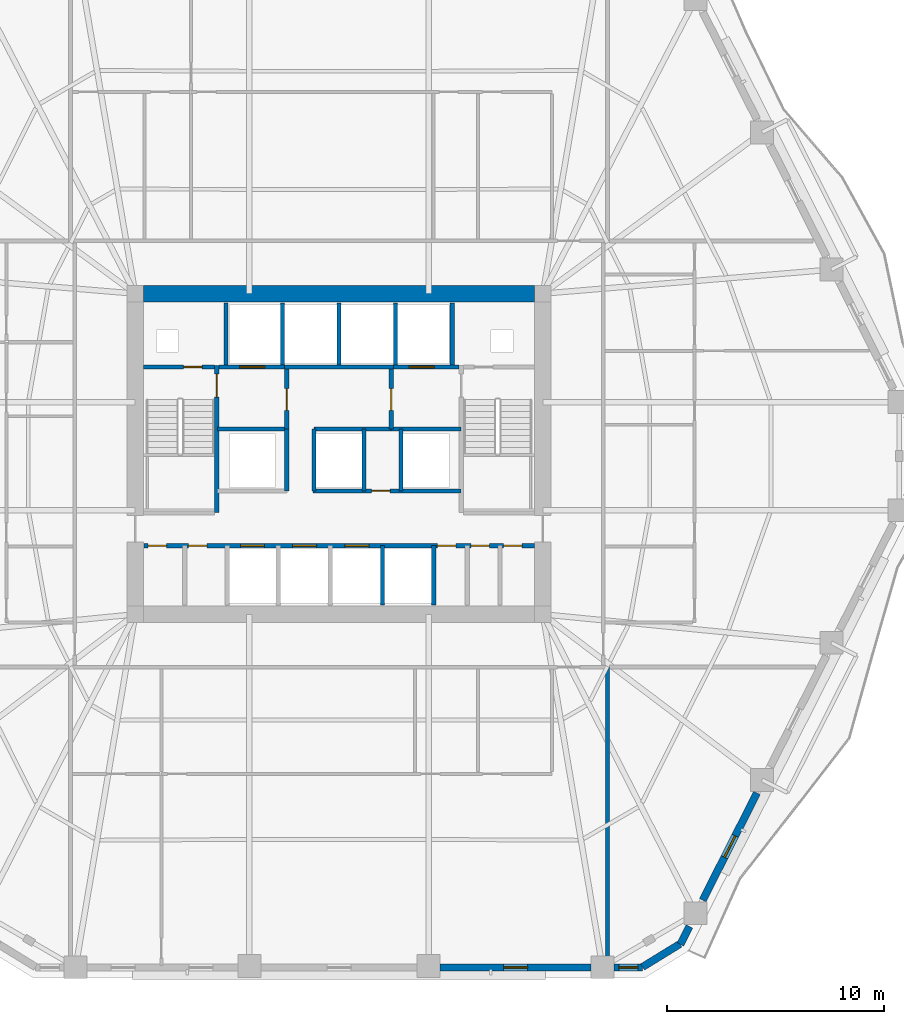
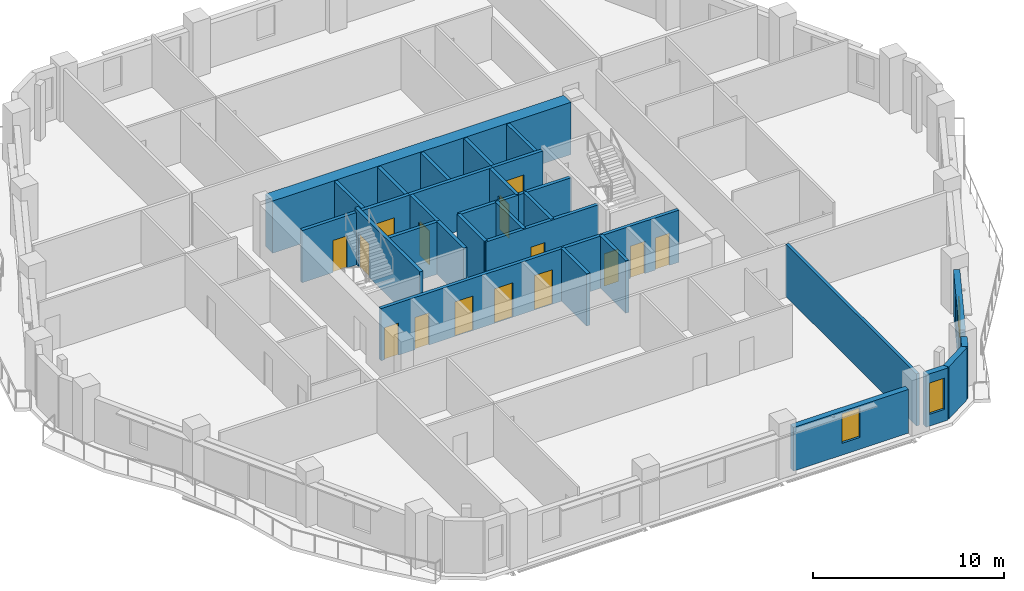
# One storey, part 5 of 13: 30 walls, 15 doors, 3 windows, 18 openings.
"""IFC4 building model written with IfcOpenShell, lengths in metres."""

from ifc_helpers import new_model, si_unit, direction, frame, frame_2d, origin, place, context, subcontext, project, spatial, rectangle, extrude, material, layer, layer_set, type_object, element, fill, save


model = new_model("IFC4")

# Units and contexts
model_context = context("Model", 3, precision=1e-05, world=origin(), true_north=direction((0.0, 1.0)))
body_context = subcontext(model_context, "Body", "Model", "MODEL_VIEW")
ifc_project = project(units=[si_unit("LENGTHUNIT", "METRE"), si_unit("AREAUNIT", "SQUARE_METRE"), si_unit("VOLUMEUNIT", "CUBIC_METRE"), si_unit("PLANEANGLEUNIT", "RADIAN"), si_unit("MASSUNIT", "GRAM", prefix="KILO")], contexts=[model_context])

# Site, building, storey
site_placement = place(None, origin())
site = spatial("IfcSite", under=ifc_project, at=site_placement, CompositionType="ELEMENT")
building_placement = place(site_placement, origin())
building = spatial("IfcBuilding", under=site, at=building_placement, Name="Cinnabar Lancet Tower", CompositionType="ELEMENT")
storey_placement = place(building_placement, frame((0.0, 0.0, 80.0)))
storey = spatial("IfcBuildingStorey", under=building, at=storey_placement, Name="L20", CompositionType="ELEMENT", Elevation=80.0)

# Wall
ifc_material_1 = material(Name="Fire-rated twin-frame acoustic drywall", Category="gypsum")
ifc_layer_1 = layer(ifc_material_1, 0.179931640625)
ifc_layer_set_1 = layer_set([ifc_layer_1], Name="Fire-rated twin-frame acoustic drywall")
wall_type_1 = type_object("IfcWallType", Name="ARC-WL-PARTY-180", PredefinedType="PARTITIONING", material=ifc_layer_set_1)
wall_1_placement = place(storey_placement, frame((44.75, 2.455078125, 0.0), z_axis=(0.0, 0.0, 1.0), x_axis=(0.0, 1.0, 0.0)))
element("IfcWall", 1, at=wall_1_placement, inside=storey, type_object=wall_type_1, Name="PW-L20-SPTY-448", PredefinedType="PARTITIONING", context=body_context, shape_type="SweptSolid", body=[
    extrude(rectangle(XDim=13.64501953125, YDim=0.179931640625, at=frame_2d((6.822509765625, 0.0))), origin(), (0.0, 0.0, 1.0), 3.330078125),
])

# Wall, opening, door
ifc_material_2 = material(Name="Autoclaved aerated concrete blockwork", Category="masonry")
ifc_layer_2 = layer(ifc_material_2, 0.199951171875)
ifc_layer_set_2 = layer_set([ifc_layer_2], Name="Autoclaved aerated concrete blockwork")
wall_type_2 = type_object("IfcWallType", Name="ARC-WL-SHAFT-200", PredefinedType="PLUMBINGWALL", material=ifc_layer_set_2)
wall_2_placement = place(storey_placement, frame((23.405029296875, 29.89990234375, 0.0), z_axis=(0.0, 0.0, 1.0), x_axis=(1.0, 0.0, 0.0)))
wall_2 = element("IfcWall", 2, at=wall_2_placement, inside=storey, type_object=wall_type_2, Name="CW-NSH-W-L20", PredefinedType="PLUMBINGWALL", context=body_context, shape_type="SweptSolid", body=[
    extrude(rectangle(XDim=3.27001953125, YDim=0.199951171875, at=frame_2d((1.635009765625, 0.0))), origin(), (0.0, 0.0, 1.0), 3.330078125),
])
opening_1_placement = place(wall_2_placement, frame((1.85009765625, 0.0, 0.0)))
opening_1 = element("IfcOpeningElement", 3, at=opening_1_placement, cuts=wall_2, Name="Opening PD-02", PredefinedType="OPENING", context=body_context, shape_type="SweptSolid", body=[
    extrude(rectangle(XDim=0.85009765625, YDim=2.050048828125, at=frame_2d((0.425048828125, 1.02490234375))), frame((0.0, 0.10986328125, 0.0), z_axis=(0.0, -1.0, 0.0), x_axis=(1.0, 0.0, 0.0)), (0.0, 0.0, 1.0), 0.219970703125),
])
ifc_material_3 = material(Name="Fire-rated steel riser access door", Category="steel")
door_type_1 = type_object("IfcDoorType", Name="ARC-DR-RISER", OperationType="NOTDEFINED", PredefinedType="DOOR", material=ifc_material_3)
door_1_placement = place(opening_1_placement, origin())
door_1 = element("IfcDoor", 4, at=door_1_placement, inside=storey, type_object=door_type_1, Name="L20 West Riser Access Door", OperationType="SINGLE_SWING_LEFT", OverallHeight=2.050048828125, OverallWidth=0.85009765625, PredefinedType="DOOR", context=body_context, shape_type="SweptSolid", body=[
    extrude(rectangle(XDim=0.85009765625, YDim=2.050048828125, at=frame_2d((0.425048828125, 1.02490234375))), frame((0.0, 0.02490234375, 0.0), z_axis=(0.0, -1.0, 0.0), x_axis=(1.0, 0.0, 0.0)), (0.0, 0.0, 1.0), 0.050048828125),
])
fill(opening_1, door_1)

wall_3_placement = place(storey_placement, frame((26.885009765625, 29.89990234375, 0.0), z_axis=(0.0, 0.0, 1.0), x_axis=(1.0, 0.0, 0.0)))
wall_3 = element("IfcWall", 5, at=wall_3_placement, inside=storey, type_object=wall_type_2, Name="CW-FL1-L20", PredefinedType="PLUMBINGWALL", context=body_context, shape_type="SweptSolid", body=[
    extrude(rectangle(XDim=3.014892578125, YDim=0.199951171875, at=frame_2d((1.50732421875, 0.0))), origin(), (0.0, 0.0, 1.0), 3.330078125),
])
opening_2_placement = place(wall_3_placement, frame((0.93994140625, 0.0, 0.0)))
opening_2 = element("IfcOpeningElement", 6, at=opening_2_placement, cuts=wall_3, Name="Opening LD-02", PredefinedType="OPENING", context=body_context, shape_type="SweptSolid", body=[
    extrude(rectangle(XDim=1.14990234375, YDim=2.199951171875, at=frame_2d((0.574951171875, 1.10009765625))), frame((0.0, 0.10986328125, 0.0), z_axis=(0.0, -1.0, 0.0), x_axis=(1.0, 0.0, 0.0)), (0.0, 0.0, 1.0), 0.219970703125),
])
ifc_material_4 = material(Name="Fire-rated stainless steel firefighting lift landing door", Category="steel")
door_type_2 = type_object("IfcDoorType", Name="ARC-DR-LD-FIRE", OperationType="NOTDEFINED", PredefinedType="DOOR", material=ifc_material_4)
door_2_placement = place(opening_2_placement, origin())
door_2 = element("IfcDoor", 7, at=door_2_placement, inside=storey, type_object=door_type_2, Name="L20 Firefighting Lift FL-1 Landing Door", OperationType="DOUBLE_DOOR_SLIDING", OverallHeight=2.199951171875, OverallWidth=1.14990234375, PredefinedType="DOOR", context=body_context, shape_type="SweptSolid", body=[
    extrude(rectangle(XDim=1.14990234375, YDim=2.199951171875, at=frame_2d((0.574951171875, 1.10009765625))), frame((0.0, 0.02490234375, 0.0), z_axis=(0.0, -1.0, 0.0), x_axis=(1.0, 0.0, 0.0)), (0.0, 0.0, 1.0), 0.050048828125),
])
fill(opening_2, door_2)

# Wall
wall_4_placement = place(storey_placement, frame((29.89990234375, 29.89990234375, 0.0), z_axis=(0.0, 0.0, 1.0), x_axis=(1.0, 0.0, 0.0)))
element("IfcWall", 8, at=wall_4_placement, inside=storey, type_object=wall_type_2, Name="CW-PL78-L20", PredefinedType="PLUMBINGWALL", context=body_context, shape_type="SweptSolid", body=[
    extrude(rectangle(XDim=5.0, YDim=0.199951171875, at=frame_2d((2.5, 0.0))), origin(), (0.0, 0.0, 1.0), 3.330078125),
])

# Wall, opening, door
wall_5_placement = place(storey_placement, frame((34.89990234375, 29.89990234375, 0.0), z_axis=(0.0, 0.0, 1.0), x_axis=(1.0, 0.0, 0.0)))
wall_5 = element("IfcWall", 9, at=wall_5_placement, inside=storey, type_object=wall_type_2, Name="CW-FL2-L20", PredefinedType="PLUMBINGWALL", context=body_context, shape_type="SweptSolid", body=[
    extrude(rectangle(XDim=3.01513671875, YDim=0.199951171875, at=frame_2d((1.507568359375, 0.0))), origin(), (0.0, 0.0, 1.0), 3.330078125),
])
opening_3_placement = place(wall_5_placement, frame((0.72509765625, 0.0, 0.0)))
opening_3 = element("IfcOpeningElement", 10, at=opening_3_placement, cuts=wall_5, Name="Opening LD-02", PredefinedType="OPENING", context=body_context, shape_type="SweptSolid", body=[
    extrude(rectangle(XDim=1.14990234375, YDim=2.199951171875, at=frame_2d((0.574951171875, 1.10009765625))), frame((0.0, 0.10986328125, 0.0), z_axis=(0.0, -1.0, 0.0), x_axis=(1.0, 0.0, 0.0)), (0.0, 0.0, 1.0), 0.219970703125),
])
door_3_placement = place(opening_3_placement, origin())
door_3 = element("IfcDoor", 11, at=door_3_placement, inside=storey, type_object=door_type_2, Name="L20 Firefighting Lift FL-2 Landing Door", OperationType="DOUBLE_DOOR_SLIDING", OverallHeight=2.199951171875, OverallWidth=1.14990234375, PredefinedType="DOOR", context=body_context, shape_type="SweptSolid", body=[
    extrude(rectangle(XDim=1.14990234375, YDim=2.199951171875, at=frame_2d((0.574951171875, 1.10009765625))), frame((0.0, 0.02490234375, 0.0), z_axis=(0.0, -1.0, 0.0), x_axis=(1.0, 0.0, 0.0)), (0.0, 0.0, 1.0), 0.050048828125),
])
fill(opening_3, door_3)

# Walls
for number, where, z_axis, x_axis, name in (
    (12, (27.199951171875, 30.0, 0.0), (0.0, 0.0, 1.0), (0.0, 1.0, 0.0), "CW-NSH-D1-L20"),
    (13, (29.800048828125, 30.0, 0.0), (0.0, 0.0, 1.0), (0.0, 1.0, 0.0), "CW-NSH-D2-L20"),
    (14, (32.39990234375, 30.0, 0.0), (0.0, 0.0, 1.0), (0.0, 1.0, 0.0), "CW-NSH-D3-L20"),
    (15, (35.0, 30.0, 0.0), (0.0, 0.0, 1.0), (0.0, 1.0, 0.0), "CW-NSH-D4-L20"),
    (16, (37.60009765625, 30.0, 0.0), (0.0, 0.0, 1.0), (0.0, 1.0, 0.0), "CW-NSH-D5-L20"),
):
    element("IfcWall", number, at=place(storey_placement, frame(where, z_axis=z_axis, x_axis=x_axis)), inside=storey, type_object=wall_type_2, Name=name, PredefinedType="PLUMBINGWALL", context=body_context, shape_type="SweptSolid", body=[
        extrude(rectangle(XDim=2.85009765625, YDim=0.199951171875, at=frame_2d((1.425048828125, 0.0))), origin(), (0.0, 0.0, 1.0), 3.330078125),
    ])

# Wall, opening, door
wall_6_placement = place(storey_placement, frame((30.0, 27.050048828125, 0.0), z_axis=(0.0, 0.0, 1.0), x_axis=(0.0, 1.0, 0.0)))
wall_6 = element("IfcWall", 17, at=wall_6_placement, inside=storey, type_object=wall_type_2, Name="CW-FF1E-L20", PredefinedType="PLUMBINGWALL", context=body_context, shape_type="SweptSolid", body=[
    extrude(rectangle(XDim=2.75, YDim=0.199951171875, at=frame_2d((1.375, 0.0))), origin(), (0.0, 0.0, 1.0), 3.330078125),
])
opening_4_placement = place(wall_6_placement, frame((0.85009765625, 0.0, 0.0)))
opening_4 = element("IfcOpeningElement", 18, at=opening_4_placement, cuts=wall_6, Name="Opening FD-01", PredefinedType="OPENING", context=body_context, shape_type="SweptSolid", body=[
    extrude(rectangle(XDim=1.0, YDim=2.14990234375, at=frame_2d((0.5, 1.074951171875))), frame((0.0, 0.10986328125, 0.0), z_axis=(0.0, -1.0, 0.0), x_axis=(1.0, 0.0, 0.0)), (0.0, 0.0, 1.0), 0.219970703125),
])
ifc_material_5 = material(Name="Fire-rated timber-core lobby door", Category="wood")
door_type_3 = type_object("IfcDoorType", Name="ARC-DR-FFAL", OperationType="NOTDEFINED", PredefinedType="DOOR", material=ifc_material_5)
door_4_placement = place(opening_4_placement, origin())
door_4 = element("IfcDoor", 19, at=door_4_placement, inside=storey, type_object=door_type_3, Name="L20 FFAL-1 Lobby Fire Door", OperationType="SINGLE_SWING_RIGHT", OverallHeight=2.14990234375, OverallWidth=1.0, PredefinedType="DOOR", context=body_context, shape_type="SweptSolid", body=[
    extrude(rectangle(XDim=1.0, YDim=2.14990234375, at=frame_2d((0.5, 1.074951171875))), frame((0.0, 0.02490234375, 0.0), z_axis=(0.0, -1.0, 0.0), x_axis=(1.0, 0.0, 0.0)), (0.0, 0.0, 1.0), 0.050048828125),
])
fill(opening_4, door_4)

# Wall
wall_7_placement = place(storey_placement, frame((26.800048828125, 27.050048828125, 0.0), z_axis=(0.0, 0.0, 1.0), x_axis=(1.0, 0.0, 0.0)))
element("IfcWall", 20, at=wall_7_placement, inside=storey, type_object=wall_type_2, Name="CW-FF1S-L20", PredefinedType="PLUMBINGWALL", context=body_context, shape_type="SweptSolid", body=[
    extrude(rectangle(XDim=3.199951171875, YDim=0.199951171875, at=frame_2d((1.60009765625, 0.0))), origin(), (0.0, 0.0, 1.0), 3.330078125),
])

# Wall, opening, door
wall_8_placement = place(storey_placement, frame((34.800048828125, 27.050048828125, 0.0), z_axis=(0.0, 0.0, 1.0), x_axis=(0.0, 1.0, 0.0)))
wall_8 = element("IfcWall", 21, at=wall_8_placement, inside=storey, type_object=wall_type_2, Name="CW-FF2W-L20", PredefinedType="PLUMBINGWALL", context=body_context, shape_type="SweptSolid", body=[
    extrude(rectangle(XDim=2.75, YDim=0.199951171875, at=frame_2d((1.375, 0.0))), origin(), (0.0, 0.0, 1.0), 3.330078125),
])
opening_5_placement = place(wall_8_placement, frame((0.85009765625, 0.0, 0.0)))
opening_5 = element("IfcOpeningElement", 22, at=opening_5_placement, cuts=wall_8, Name="Opening FD-01", PredefinedType="OPENING", context=body_context, shape_type="SweptSolid", body=[
    extrude(rectangle(XDim=1.0, YDim=2.14990234375, at=frame_2d((0.5, 1.074951171875))), frame((0.0, 0.10986328125, 0.0), z_axis=(0.0, -1.0, 0.0), x_axis=(1.0, 0.0, 0.0)), (0.0, 0.0, 1.0), 0.219970703125),
])
door_5_placement = place(opening_5_placement, origin())
door_5 = element("IfcDoor", 23, at=door_5_placement, inside=storey, type_object=door_type_3, Name="L20 FFAL-2 Lobby Fire Door", OperationType="SINGLE_SWING_LEFT", OverallHeight=2.14990234375, OverallWidth=1.0, PredefinedType="DOOR", context=body_context, shape_type="SweptSolid", body=[
    extrude(rectangle(XDim=1.0, YDim=2.14990234375, at=frame_2d((0.5, 1.074951171875))), frame((0.0, 0.02490234375, 0.0), z_axis=(0.0, -1.0, 0.0), x_axis=(1.0, 0.0, 0.0)), (0.0, 0.0, 1.0), 0.050048828125),
])
fill(opening_5, door_5)

# Walls
wall_9_placement = place(storey_placement, frame((34.800048828125, 27.050048828125, 0.0), z_axis=(0.0, 0.0, 1.0), x_axis=(1.0, 0.0, 0.0)))
element("IfcWall", 24, at=wall_9_placement, inside=storey, type_object=wall_type_2, Name="CW-FF2S-L20", PredefinedType="PLUMBINGWALL", context=body_context, shape_type="SweptSolid", body=[
    extrude(rectangle(XDim=3.199951171875, YDim=0.199951171875, at=frame_2d((1.60009765625, 0.0))), origin(), (0.0, 0.0, 1.0), 3.330078125),
])
wall_10_placement = place(storey_placement, frame((30.0, 24.199951171875, 0.0), z_axis=(0.0, 0.0, 1.0), x_axis=(0.0, 1.0, 0.0)))
element("IfcWall", 25, at=wall_10_placement, inside=storey, type_object=wall_type_2, Name="CW-PL5E-L20", PredefinedType="PLUMBINGWALL", context=body_context, shape_type="SweptSolid", body=[
    extrude(rectangle(XDim=2.85009765625, YDim=0.199951171875, at=frame_2d((1.425048828125, 0.0))), origin(), (0.0, 0.0, 1.0), 3.330078125),
])

# Wall, opening, door
wall_11_placement = place(storey_placement, frame((31.199951171875, 24.199951171875, 0.0), z_axis=(0.0, 0.0, 1.0), x_axis=(1.0, 0.0, 0.0)))
wall_11 = element("IfcWall", 26, at=wall_11_placement, inside=storey, type_object=wall_type_2, Name="CW-PL96S-L20", PredefinedType="PLUMBINGWALL", context=body_context, shape_type="SweptSolid", body=[
    extrude(rectangle(XDim=6.800048828125, YDim=0.199951171875, at=frame_2d((3.39990234375, 0.0))), origin(), (0.0, 0.0, 1.0), 3.330078125),
])
opening_6_placement = place(wall_11_placement, frame((2.699951171875, 0.0, 0.0)))
opening_6 = element("IfcOpeningElement", 27, at=opening_6_placement, cuts=wall_11, Name="Opening PD-02", PredefinedType="OPENING", context=body_context, shape_type="SweptSolid", body=[
    extrude(rectangle(XDim=0.85009765625, YDim=2.050048828125, at=frame_2d((0.425048828125, 1.02490234375))), frame((0.0, 0.10986328125, 0.0), z_axis=(0.0, -1.0, 0.0), x_axis=(1.0, 0.0, 0.0)), (0.0, 0.0, 1.0), 0.219970703125),
])
door_6_placement = place(opening_6_placement, origin())
door_6 = element("IfcDoor", 28, at=door_6_placement, inside=storey, type_object=door_type_1, Name="L20 BMS Closet Door", OperationType="SINGLE_SWING_LEFT", OverallHeight=2.050048828125, OverallWidth=0.85009765625, PredefinedType="DOOR", context=body_context, shape_type="SweptSolid", body=[
    extrude(rectangle(XDim=0.85009765625, YDim=2.050048828125, at=frame_2d((0.425048828125, 1.02490234375))), frame((0.0, 0.02490234375, 0.0), z_axis=(0.0, -1.0, 0.0), x_axis=(1.0, 0.0, 0.0)), (0.0, 0.0, 1.0), 0.050048828125),
])
fill(opening_6, door_6)

# Walls
for number, where, z_axis, x_axis, name in (
    (29, (31.25, 24.199951171875, 0.0), (0.0, 0.0, 1.0), (0.0, 1.0, 0.0), "CW-PL9W-L20"),
    (30, (33.550048828125, 24.199951171875, 0.0), (0.0, 0.0, 1.0), (0.0, 1.0, 0.0), "CW-PL9E-L20"),
    (31, (35.25, 24.199951171875, 0.0), (0.0, 0.0, 1.0), (0.0, 1.0, 0.0), "CW-PL6W-L20"),
):
    element("IfcWall", number, at=place(storey_placement, frame(where, z_axis=z_axis, x_axis=x_axis)), inside=storey, type_object=wall_type_2, Name=name, PredefinedType="PLUMBINGWALL", context=body_context, shape_type="SweptSolid", body=[
        extrude(rectangle(XDim=2.85009765625, YDim=0.199951171875, at=frame_2d((1.425048828125, 0.0))), origin(), (0.0, 0.0, 1.0), 3.330078125),
    ])
wall_12_placement = place(storey_placement, frame((31.25, 27.050048828125, 0.0), z_axis=(0.0, 0.0, 1.0), x_axis=(1.0, 0.0, 0.0)))
element("IfcWall", 32, at=wall_12_placement, inside=storey, type_object=wall_type_2, Name="CW-PL96N-L20", PredefinedType="PLUMBINGWALL", context=body_context, shape_type="SweptSolid", body=[
    extrude(rectangle(XDim=3.550048828125, YDim=0.199951171875, at=frame_2d((1.77490234375, 0.0))), origin(), (0.0, 0.0, 1.0), 3.330078125),
])

# Wall, openings, doors
wall_13_placement = place(storey_placement, frame((23.419921875, 21.679931640625, 0.0), z_axis=(0.0, 0.0, 1.0), x_axis=(1.0, 0.0, 0.0)))
wall_13 = element("IfcWall", 33, at=wall_13_placement, inside=storey, type_object=wall_type_2, Name="CW-SBANDN-L20", PredefinedType="PLUMBINGWALL", context=body_context, shape_type="SweptSolid", body=[
    extrude(rectangle(XDim=17.9599609375, YDim=0.199951171875, at=frame_2d((8.97998046875, 0.0))), origin(), (0.0, 0.0, 1.0), 3.330078125),
])
opening_7_placement = place(wall_13_placement, frame((4.449951171875, 0.0, 0.0)))
opening_7 = element("IfcOpeningElement", 34, at=opening_7_placement, cuts=wall_13, Name="Opening LD-01", PredefinedType="OPENING", context=body_context, shape_type="SweptSolid", body=[
    extrude(rectangle(XDim=1.10009765625, YDim=2.199951171875, at=frame_2d((0.550048828125, 1.10009765625))), frame((0.0, 0.10986328125, 0.0), z_axis=(0.0, -1.0, 0.0), x_axis=(1.0, 0.0, 0.0)), (0.0, 0.0, 1.0), 0.219970703125),
])
opening_8_placement = place(wall_13_placement, frame((6.85009765625, 0.0, 0.0)))
opening_8 = element("IfcOpeningElement", 35, at=opening_8_placement, cuts=wall_13, Name="Opening LD-01", PredefinedType="OPENING", context=body_context, shape_type="SweptSolid", body=[
    extrude(rectangle(XDim=1.10009765625, YDim=2.199951171875, at=frame_2d((0.550048828125, 1.10009765625))), frame((0.0, 0.10986328125, 0.0), z_axis=(0.0, -1.0, 0.0), x_axis=(1.0, 0.0, 0.0)), (0.0, 0.0, 1.0), 0.219970703125),
])
opening_9_placement = place(wall_13_placement, frame((9.25, 0.0, 0.0)))
opening_9 = element("IfcOpeningElement", 36, at=opening_9_placement, cuts=wall_13, Name="Opening LD-01", PredefinedType="OPENING", context=body_context, shape_type="SweptSolid", body=[
    extrude(rectangle(XDim=1.10009765625, YDim=2.199951171875, at=frame_2d((0.550048828125, 1.10009765625))), frame((0.0, 0.10986328125, 0.0), z_axis=(0.0, -1.0, 0.0), x_axis=(1.0, 0.0, 0.0)), (0.0, 0.0, 1.0), 0.219970703125),
])
opening_10_placement = place(wall_13_placement, frame((0.199951171875, 0.0, 0.0)))
opening_10 = element("IfcOpeningElement", 37, at=opening_10_placement, cuts=wall_13, Name="Opening PD-02", PredefinedType="OPENING", context=body_context, shape_type="SweptSolid", body=[
    extrude(rectangle(XDim=0.85009765625, YDim=2.050048828125, at=frame_2d((0.425048828125, 1.02490234375))), frame((0.0, 0.10986328125, 0.0), z_axis=(0.0, -1.0, 0.0), x_axis=(1.0, 0.0, 0.0)), (0.0, 0.0, 1.0), 0.219970703125),
])
opening_11_placement = place(wall_13_placement, frame((2.050048828125, 0.0, 0.0)))
opening_11 = element("IfcOpeningElement", 38, at=opening_11_placement, cuts=wall_13, Name="Opening PD-02", PredefinedType="OPENING", context=body_context, shape_type="SweptSolid", body=[
    extrude(rectangle(XDim=0.85009765625, YDim=2.050048828125, at=frame_2d((0.425048828125, 1.02490234375))), frame((0.0, 0.10986328125, 0.0), z_axis=(0.0, -1.0, 0.0), x_axis=(1.0, 0.0, 0.0)), (0.0, 0.0, 1.0), 0.219970703125),
])
opening_12_placement = place(wall_13_placement, frame((13.5, 0.0, 0.0)))
opening_12 = element("IfcOpeningElement", 39, at=opening_12_placement, cuts=wall_13, Name="Opening PD-02", PredefinedType="OPENING", context=body_context, shape_type="SweptSolid", body=[
    extrude(rectangle(XDim=0.85009765625, YDim=2.050048828125, at=frame_2d((0.425048828125, 1.02490234375))), frame((0.0, 0.10986328125, 0.0), z_axis=(0.0, -1.0, 0.0), x_axis=(1.0, 0.0, 0.0)), (0.0, 0.0, 1.0), 0.219970703125),
])
opening_13_placement = place(wall_13_placement, frame((15.050048828125, 0.0, 0.0)))
opening_13 = element("IfcOpeningElement", 40, at=opening_13_placement, cuts=wall_13, Name="Opening PD-02", PredefinedType="OPENING", context=body_context, shape_type="SweptSolid", body=[
    extrude(rectangle(XDim=0.85009765625, YDim=2.050048828125, at=frame_2d((0.425048828125, 1.02490234375))), frame((0.0, 0.10986328125, 0.0), z_axis=(0.0, -1.0, 0.0), x_axis=(1.0, 0.0, 0.0)), (0.0, 0.0, 1.0), 0.219970703125),
])
opening_14_placement = place(wall_13_placement, frame((16.550048828125, 0.0, 0.0)))
opening_14 = element("IfcOpeningElement", 41, at=opening_14_placement, cuts=wall_13, Name="Opening PD-02", PredefinedType="OPENING", context=body_context, shape_type="SweptSolid", body=[
    extrude(rectangle(XDim=0.85009765625, YDim=2.050048828125, at=frame_2d((0.425048828125, 1.02490234375))), frame((0.0, 0.10986328125, 0.0), z_axis=(0.0, -1.0, 0.0), x_axis=(1.0, 0.0, 0.0)), (0.0, 0.0, 1.0), 0.219970703125),
])
ifc_material_6 = material(Name="Brushed stainless steel sliding lift door", Category="steel")
door_type_4 = type_object("IfcDoorType", Name="ARC-DR-LD-PASS", OperationType="NOTDEFINED", PredefinedType="DOOR", material=ifc_material_6)
door_7_placement = place(opening_7_placement, origin())
door_7 = element("IfcDoor", 42, at=door_7_placement, inside=storey, type_object=door_type_4, Name="L20 Lift PL-1 Landing Door", OperationType="DOUBLE_DOOR_SLIDING", OverallHeight=2.199951171875, OverallWidth=1.10009765625, PredefinedType="DOOR", context=body_context, shape_type="SweptSolid", body=[
    extrude(rectangle(XDim=1.10009765625, YDim=2.199951171875, at=frame_2d((0.550048828125, 1.10009765625))), frame((0.0, 0.02490234375, 0.0), z_axis=(0.0, -1.0, 0.0), x_axis=(1.0, 0.0, 0.0)), (0.0, 0.0, 1.0), 0.050048828125),
])
fill(opening_7, door_7)
door_8_placement = place(opening_8_placement, origin())
door_8 = element("IfcDoor", 43, at=door_8_placement, inside=storey, type_object=door_type_4, Name="L20 Lift PL-2 Landing Door", OperationType="DOUBLE_DOOR_SLIDING", OverallHeight=2.199951171875, OverallWidth=1.10009765625, PredefinedType="DOOR", context=body_context, shape_type="SweptSolid", body=[
    extrude(rectangle(XDim=1.10009765625, YDim=2.199951171875, at=frame_2d((0.550048828125, 1.10009765625))), frame((0.0, 0.02490234375, 0.0), z_axis=(0.0, -1.0, 0.0), x_axis=(1.0, 0.0, 0.0)), (0.0, 0.0, 1.0), 0.050048828125),
])
fill(opening_8, door_8)
door_9_placement = place(opening_9_placement, origin())
door_9 = element("IfcDoor", 44, at=door_9_placement, inside=storey, type_object=door_type_4, Name="L20 Lift PL-3 Landing Door", OperationType="DOUBLE_DOOR_SLIDING", OverallHeight=2.199951171875, OverallWidth=1.10009765625, PredefinedType="DOOR", context=body_context, shape_type="SweptSolid", body=[
    extrude(rectangle(XDim=1.10009765625, YDim=2.199951171875, at=frame_2d((0.550048828125, 1.10009765625))), frame((0.0, 0.02490234375, 0.0), z_axis=(0.0, -1.0, 0.0), x_axis=(1.0, 0.0, 0.0)), (0.0, 0.0, 1.0), 0.050048828125),
])
fill(opening_9, door_9)
door_10_placement = place(opening_10_placement, origin())
door_10 = element("IfcDoor", 45, at=door_10_placement, inside=storey, type_object=door_type_1, Name="DR-L20-SC2-1", OperationType="SINGLE_SWING_LEFT", OverallHeight=2.050048828125, OverallWidth=0.85009765625, PredefinedType="DOOR", context=body_context, shape_type="SweptSolid", body=[
    extrude(rectangle(XDim=0.85009765625, YDim=2.050048828125, at=frame_2d((0.425048828125, 1.02490234375))), frame((0.0, 0.02490234375, 0.0), z_axis=(0.0, -1.0, 0.0), x_axis=(1.0, 0.0, 0.0)), (0.0, 0.0, 1.0), 0.050048828125),
])
fill(opening_10, door_10)
door_11_placement = place(opening_11_placement, origin())
door_11 = element("IfcDoor", 46, at=door_11_placement, inside=storey, type_object=door_type_1, Name="DR-L20-SC2-2", OperationType="SINGLE_SWING_RIGHT", OverallHeight=2.050048828125, OverallWidth=0.85009765625, PredefinedType="DOOR", context=body_context, shape_type="SweptSolid", body=[
    extrude(rectangle(XDim=0.85009765625, YDim=2.050048828125, at=frame_2d((0.425048828125, 1.02490234375))), frame((0.0, 0.02490234375, 0.0), z_axis=(0.0, -1.0, 0.0), x_axis=(1.0, 0.0, 0.0)), (0.0, 0.0, 1.0), 0.050048828125),
])
fill(opening_11, door_11)
door_12_placement = place(opening_12_placement, origin())
door_12 = element("IfcDoor", 47, at=door_12_placement, inside=storey, type_object=door_type_1, Name="DR-L20-SC2-3", OperationType="SINGLE_SWING_LEFT", OverallHeight=2.050048828125, OverallWidth=0.85009765625, PredefinedType="DOOR", context=body_context, shape_type="SweptSolid", body=[
    extrude(rectangle(XDim=0.85009765625, YDim=2.050048828125, at=frame_2d((0.425048828125, 1.02490234375))), frame((0.0, 0.02490234375, 0.0), z_axis=(0.0, -1.0, 0.0), x_axis=(1.0, 0.0, 0.0)), (0.0, 0.0, 1.0), 0.050048828125),
])
fill(opening_12, door_12)
door_13_placement = place(opening_13_placement, origin())
door_13 = element("IfcDoor", 48, at=door_13_placement, inside=storey, type_object=door_type_1, Name="DR-L20-SC2-4", OperationType="SINGLE_SWING_RIGHT", OverallHeight=2.050048828125, OverallWidth=0.85009765625, PredefinedType="DOOR", context=body_context, shape_type="SweptSolid", body=[
    extrude(rectangle(XDim=0.85009765625, YDim=2.050048828125, at=frame_2d((0.425048828125, 1.02490234375))), frame((0.0, 0.02490234375, 0.0), z_axis=(0.0, -1.0, 0.0), x_axis=(1.0, 0.0, 0.0)), (0.0, 0.0, 1.0), 0.050048828125),
])
fill(opening_13, door_13)
door_14_placement = place(opening_14_placement, origin())
door_14 = element("IfcDoor", 49, at=door_14_placement, inside=storey, type_object=door_type_1, Name="DR-L20-SC2-5", OperationType="SINGLE_SWING_LEFT", OverallHeight=2.050048828125, OverallWidth=0.85009765625, PredefinedType="DOOR", context=body_context, shape_type="SweptSolid", body=[
    extrude(rectangle(XDim=0.85009765625, YDim=2.050048828125, at=frame_2d((0.425048828125, 1.02490234375))), frame((0.0, 0.02490234375, 0.0), z_axis=(0.0, -1.0, 0.0), x_axis=(1.0, 0.0, 0.0)), (0.0, 0.0, 1.0), 0.050048828125),
])
fill(opening_14, door_14)

# Walls
for number, where, z_axis, x_axis, name in (
    (50, (34.39990234375, 18.949951171875, 0.0), (0.0, 0.0, 1.0), (0.0, 1.0, 0.0), "CW-SB-3440-L20"),
    (51, (36.75, 18.949951171875, 0.0), (0.0, 0.0, 1.0), (0.0, 1.0, 0.0), "CW-SB-3675-L20"),
):
    element("IfcWall", number, at=place(storey_placement, frame(where, z_axis=z_axis, x_axis=x_axis)), inside=storey, type_object=wall_type_2, Name=name, PredefinedType="PLUMBINGWALL", context=body_context, shape_type="SweptSolid", body=[
        extrude(rectangle(XDim=2.72998046875, YDim=0.199951171875, at=frame_2d((1.364990234375, 0.0))), origin(), (0.0, 0.0, 1.0), 3.330078125),
    ])
ifc_material_7 = material(Name="Cinnabar red clay brick", Category="masonry")
ifc_layer_3 = layer(ifc_material_7, 0.340087890625)
ifc_layer_set_3 = layer_set([ifc_layer_3], Name="Cinnabar red clay brick")
wall_type_3 = type_object("IfcWallType", Name="ENV-WL-BRK-RED-340", PredefinedType="STANDARD", material=ifc_layer_set_3)
wall_14_placement = place(storey_placement, frame((46.361083984375, 2.304931640625, 0.0), z_axis=(0.0, 0.0, 1.0), x_axis=(0.851816122478, 0.523840904748, 0.0)))
element("IfcWall", 52, at=wall_14_placement, inside=storey, type_object=wall_type_3, Name="L20 Chamfered Corner Brick Pier 2.1", PredefinedType="STANDARD", context=body_context, shape_type="SweptSolid", body=[
    extrude(rectangle(XDim=2.01806640625, YDim=0.340087890625, at=frame_2d((1.009033203125, 0.0))), origin(), (0.0, 0.0, 1.0), 3.330078125),
])

# Wall, opening, window
wall_15_placement = place(storey_placement, frame((37.051025390625, 2.280029296875, 0.0), z_axis=(0.0, 0.0, 1.0), x_axis=(1.0, 0.0, 0.0)))
wall_15 = element("IfcWall", 53, at=wall_15_placement, inside=storey, type_object=wall_type_3, Name="L20 Face 1 Masonry Bay Wall 4", PredefinedType="STANDARD", context=body_context, shape_type="SweptSolid", body=[
    extrude(rectangle(XDim=6.93701171875, YDim=0.340087890625, at=frame_2d((3.468505859375, 0.0))), origin(), (0.0, 0.0, 1.0), 2.787109375),
])
opening_15_placement = place(wall_15_placement, frame((2.91796875, 0.0, 0.75)))
opening_15 = element("IfcOpeningElement", 54, at=opening_15_placement, cuts=wall_15, Name="Opening WN-04", PredefinedType="OPENING", context=body_context, shape_type="SweptSolid", body=[
    extrude(rectangle(XDim=1.10009765625, YDim=1.886962890625, at=frame_2d((0.550048828125, 0.943359375))), frame((0.0, 0.179931640625, 0.0), z_axis=(0.0, -1.0, 0.0), x_axis=(1.0, 0.0, 0.0)), (0.0, 0.0, 1.0), 0.360107421875),
])
ifc_material_8 = material(Name="Thermally broken bronze-anodized aluminium tall lancet window", Category="aluminium")
window_type = type_object("IfcWindowType", Name="ENV-WN-LANCET-1100", PartitioningType="SINGLE_PANEL", PredefinedType="WINDOW", material=ifc_material_8)
window_1_placement = place(opening_15_placement, origin())
window_1 = element("IfcWindow", 55, at=window_1_placement, inside=storey, type_object=window_type, Name="L20 Face 1 Gothic Lancet Window 4", OverallHeight=1.886962890625, OverallWidth=1.10009765625, PartitioningType="SINGLE_PANEL", PredefinedType="WINDOW", context=body_context, shape_type="SweptSolid", body=[
    extrude(rectangle(XDim=1.10009765625, YDim=1.886962890625, at=frame_2d((0.550048828125, 0.943359375))), frame((0.0, 0.030029296875, 0.0), z_axis=(0.0, -1.0, 0.0), x_axis=(1.0, 0.0, 0.0)), (0.0, 0.0, 1.0), 0.06005859375),
])
fill(opening_15, window_1)

wall_16_placement = place(storey_placement, frame((45.0458984375, 2.280029296875, 0.0), z_axis=(0.0, 0.0, 1.0), x_axis=(1.0, 0.0, 0.0)))
wall_16 = element("IfcWall", 56, at=wall_16_placement, inside=storey, type_object=wall_type_3, Name="L20 Face 1 Masonry Bay Wall 5", PredefinedType="STANDARD", context=body_context, shape_type="SweptSolid", body=[
    extrude(rectangle(XDim=1.320068359375, YDim=0.340087890625, at=frame_2d((0.66015625, 0.0))), origin(), (0.0, 0.0, 1.0), 3.330078125),
])
opening_16_placement = place(wall_16_placement, frame((0.219970703125, 0.0, 0.75)))
opening_16 = element("IfcOpeningElement", 57, at=opening_16_placement, cuts=wall_16, Name="Opening WN-04", PredefinedType="OPENING", context=body_context, shape_type="SweptSolid", body=[
    extrude(rectangle(XDim=0.8798828125, YDim=2.0, at=frame_2d((0.43994140625, 1.0))), frame((0.0, 0.179931640625, 0.0), z_axis=(0.0, -1.0, 0.0), x_axis=(1.0, 0.0, 0.0)), (0.0, 0.0, 1.0), 0.360107421875),
])
window_2_placement = place(opening_16_placement, origin())
window_2 = element("IfcWindow", 58, at=window_2_placement, inside=storey, type_object=window_type, Name="L20 Split-Bay Gothic Lancet Window 52", OverallHeight=2.0, OverallWidth=0.8798828125, PartitioningType="SINGLE_PANEL", PredefinedType="WINDOW", context=body_context, shape_type="SweptSolid", body=[
    extrude(rectangle(XDim=0.8798828125, YDim=2.0, at=frame_2d((0.43994140625, 1.0))), frame((0.0, 0.030029296875, 0.0), z_axis=(0.0, -1.0, 0.0), x_axis=(1.0, 0.0, 0.0)), (0.0, 0.0, 1.0), 0.06005859375),
])
fill(opening_16, window_2)

# Wall
wall_17_placement = place(storey_placement, frame((48.10009765625, 3.345947265625, 0.0), z_axis=(0.0, 0.0, 1.0), x_axis=(0.451981678291, 0.892027220711, 0.0)))
element("IfcWall", 59, at=wall_17_placement, inside=storey, type_object=wall_type_3, Name="L20 Face 2 Masonry Bay Wall 1", PredefinedType="STANDARD", context=body_context, shape_type="SweptSolid", body=[
    extrude(rectangle(XDim=0.92041015625, YDim=0.340087890625, at=frame_2d((0.460205078125, 0.0))), origin(), (0.0, 0.0, 1.0), 3.330078125),
])

# Wall, opening, window
wall_18_placement = place(storey_placement, frame((49.1279296875, 5.37890625, 0.0), z_axis=(0.0, 0.0, 1.0), x_axis=(0.451719795315, 0.892159866011, 0.0)))
wall_18 = element("IfcWall", 60, at=wall_18_placement, inside=storey, type_object=wall_type_3, Name="L20 Face 2 Masonry Bay Wall 2", PredefinedType="STANDARD", context=body_context, shape_type="SweptSolid", body=[
    extrude(rectangle(XDim=5.519287109375, YDim=0.340087890625, at=frame_2d((2.759765625, 0.0))), origin(), (0.0, 0.0, 1.0), 2.787109375),
])
opening_17_placement = place(wall_18_placement, frame((2.2099609375, 0.0, 0.75)))
opening_17 = element("IfcOpeningElement", 61, at=opening_17_placement, cuts=wall_18, Name="Opening WN-04", PredefinedType="OPENING", context=body_context, shape_type="SweptSolid", body=[
    extrude(rectangle(XDim=1.10009765625, YDim=1.886962890625, at=frame_2d((0.550048828125, 0.943359375))), frame((0.0, 0.179931640625, 0.0), z_axis=(0.0, -1.0, 0.0), x_axis=(1.0, 0.0, 0.0)), (0.0, 0.0, 1.0), 0.360107421875),
])
window_3_placement = place(opening_17_placement, origin())
window_3 = element("IfcWindow", 62, at=window_3_placement, inside=storey, type_object=window_type, Name="L20 Face 2 Gothic Lancet Window 2", OverallHeight=1.886962890625, OverallWidth=1.10009765625, PartitioningType="SINGLE_PANEL", PredefinedType="WINDOW", context=body_context, shape_type="SweptSolid", body=[
    extrude(rectangle(XDim=1.10009765625, YDim=1.886962890625, at=frame_2d((0.550048828125, 0.943359375))), frame((0.0, 0.030029296875, 0.0), z_axis=(0.0, -1.0, 0.0), x_axis=(1.0, 0.0, 0.0)), (0.0, 0.0, 1.0), 0.06005859375),
])
fill(opening_17, window_3)

# Wall
ifc_material_9 = material(Name="Concrete C70/85", Category="concrete")
ifc_layer_4 = layer(ifc_material_9, 0.75)
ifc_layer_set_4 = layer_set([ifc_layer_4], Name="Concrete C70/85")
wall_type_4 = type_object("IfcWallType", Name="STR-WL-CORE-750", PredefinedType="SHEAR", material=ifc_layer_set_4)
wall_19_placement = place(storey_placement, frame((23.39990234375, 33.27490234375, 0.0), z_axis=(0.0, 0.0, 1.0), x_axis=(1.0, 0.0, 0.0)))
element("IfcWall", 63, at=wall_19_placement, inside=storey, type_object=wall_type_4, Name="L20 Core Shear Wall N", PredefinedType="SHEAR", context=body_context, shape_type="SweptSolid", body=[
    extrude(rectangle(XDim=18.0, YDim=0.75, at=frame_2d((9.0, 0.0))), origin(), (0.0, 0.0, 1.0), 3.330078125),
])

# Wall, opening, door
ifc_material_10 = material(Name="Concrete C50/60", Category="concrete")
ifc_layer_5 = layer(ifc_material_10, 0.199951171875)
ifc_layer_set_5 = layer_set([ifc_layer_5], Name="Concrete C50/60")
wall_type_5 = type_object("IfcWallType", Name="STR-WL-STAIR-200", PredefinedType="SHEAR", material=ifc_layer_set_5)
wall_20_placement = place(storey_placement, frame((26.780029296875, 23.199951171875, 0.0), z_axis=(0.0, 0.0, 1.0), x_axis=(0.0, 1.0, 0.0)))
wall_20 = element("IfcWall", 64, at=wall_20_placement, inside=storey, type_object=wall_type_5, Name="L20 Stair ST-1 Structural Enclosure Wall", PredefinedType="SHEAR", context=body_context, shape_type="SweptSolid", body=[
    extrude(rectangle(XDim=6.780029296875, YDim=0.199951171875, at=frame_2d((3.39013671875, 0.0))), origin(), (0.0, 0.0, 1.0), 3.550048828125),
])
opening_18_placement = place(wall_20_placement, frame((5.320068359375, 0.0, 0.0)))
opening_18 = element("IfcOpeningElement", 65, at=opening_18_placement, cuts=wall_20, Name="Opening SD-01", PredefinedType="OPENING", context=body_context, shape_type="SweptSolid", body=[
    extrude(rectangle(XDim=1.050048828125, YDim=2.14990234375, at=frame_2d((0.52490234375, 1.074951171875))), frame((0.0, 0.10986328125, 0.0), z_axis=(0.0, -1.0, 0.0), x_axis=(1.0, 0.0, 0.0)), (0.0, 0.0, 1.0), 0.219970703125),
])
ifc_material_11 = material(Name="Fire-rated steel stair exit door", Category="steel")
door_type_5 = type_object("IfcDoorType", Name="ARC-DR-STAIR", OperationType="NOTDEFINED", PredefinedType="DOOR", material=ifc_material_11)
door_15_placement = place(opening_18_placement, origin())
door_15 = element("IfcDoor", 66, at=door_15_placement, inside=storey, type_object=door_type_5, Name="L20 Stair ST-1 Fire Door", OperationType="SINGLE_SWING_LEFT", OverallHeight=2.14990234375, OverallWidth=1.050048828125, PredefinedType="DOOR", context=body_context, shape_type="SweptSolid", body=[
    extrude(rectangle(XDim=1.050048828125, YDim=2.14990234375, at=frame_2d((0.52490234375, 1.074951171875))), frame((0.0, 0.02490234375, 0.0), z_axis=(0.0, -1.0, 0.0), x_axis=(1.0, 0.0, 0.0)), (0.0, 0.0, 1.0), 0.050048828125),
])
fill(opening_18, door_15)

save(model, "model.ifc")
